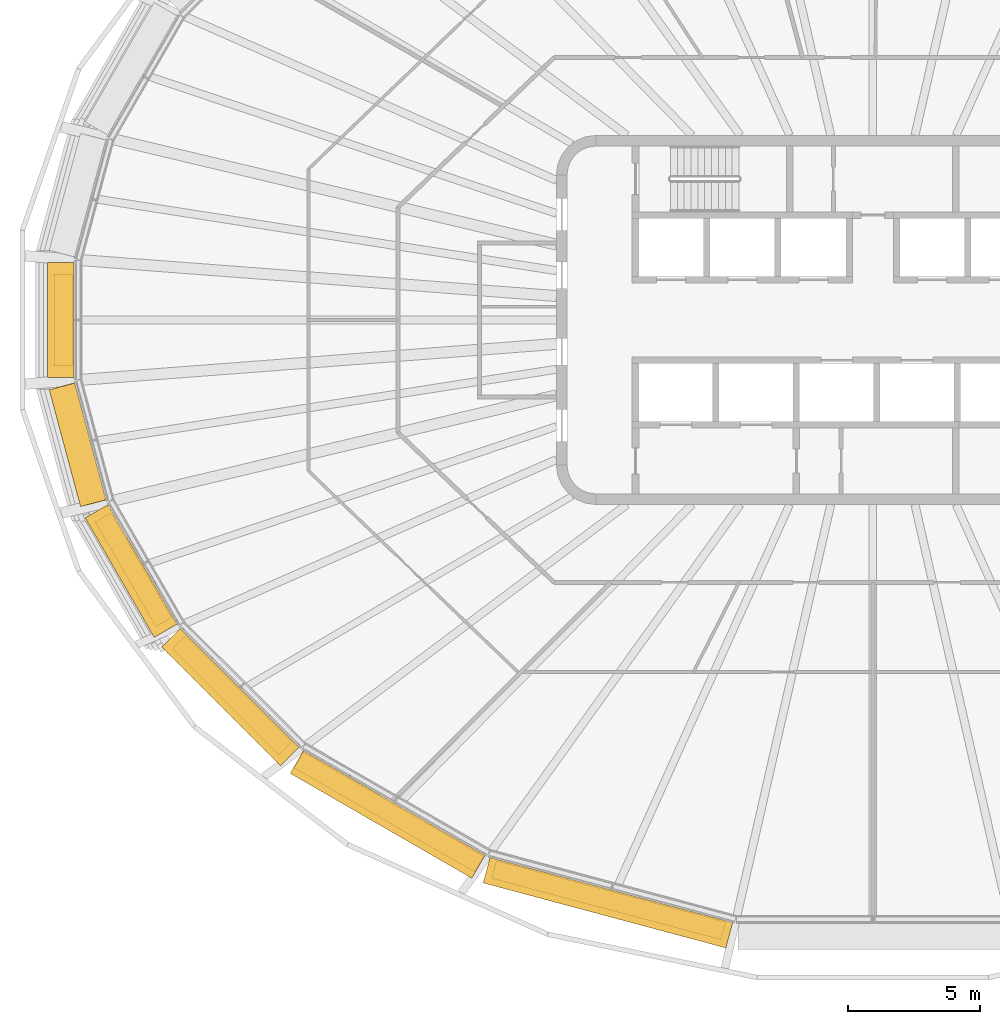
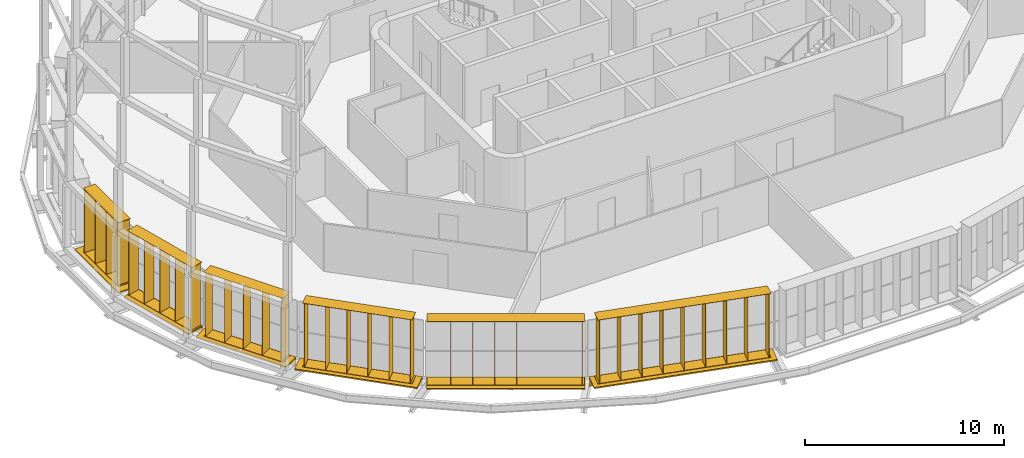
# One storey, part 15 of 21: 12 shading devices.
"""IFC4 building model written with IfcOpenShell, lengths in metres."""

from ifc_helpers import new_model, si_unit, direction, frame, origin, origin_2d, place, context, subcontext, project, spatial, rectangle, extrude, material, type_object, element, save


model = new_model("IFC4")

# Units and contexts
model_context = context("Model", 3, precision=1e-05, world=origin(), true_north=direction((0.0, 1.0)))
body_context = subcontext(model_context, "Body", "Model", "MODEL_VIEW")
ifc_project = project(units=[si_unit("LENGTHUNIT", "METRE"), si_unit("AREAUNIT", "SQUARE_METRE"), si_unit("VOLUMEUNIT", "CUBIC_METRE"), si_unit("PLANEANGLEUNIT", "RADIAN"), si_unit("MASSUNIT", "GRAM", prefix="KILO")], contexts=[model_context])

# Site, building, storey
site_placement = place(None, origin())
site = spatial("IfcSite", under=ifc_project, at=site_placement, CompositionType="ELEMENT")
building_placement = place(site_placement, origin())
building = spatial("IfcBuilding", under=site, at=building_placement, Name="Sahrelin Media Tower", CompositionType="ELEMENT")
storey_placement = place(building_placement, frame((0.0, 0.0, 259.0)))
storey = spatial("IfcBuildingStorey", under=building, at=storey_placement, Name="L56", CompositionType="ELEMENT", Elevation=259.0)

# Shading devices
ifc_material = material(Name="Champagne anodised aluminium 6063-T6", Category="aluminium")
shading_device_type_1 = type_object("IfcShadingDeviceType", Name="Fin cassette", PredefinedType="USERDEFINED", material=ifc_material)
placement_1 = place(storey_placement, frame((-30.275390625, 0.0, 0.0), z_axis=(0.0, 0.0, 1.0), x_axis=(0.0, 1.0, 0.0)))
element("IfcShadingDevice", 1, at=placement_1, inside=storey, type_object=shading_device_type_1, Name="L56:FIN:L56-12", ObjectType="FIN", PredefinedType="USERDEFINED", context=body_context, shape_type="SweptSolid", body=[
    extrude(rectangle(XDim=3.5, YDim=0.699951171875, at=origin_2d()), frame((0.0, 0.419921875, 0.0)), (0.0, 0.0, 1.0), 0.02001953125),
    extrude(rectangle(XDim=3.5, YDim=0.699951171875, at=origin_2d()), frame((0.0, 0.419921875, 3.89990234375)), (0.0, 0.0, 1.0), 0.02001953125),
    extrude(rectangle(XDim=0.02001953125, YDim=0.699951171875, at=origin_2d()), frame((-1.64990234375, 0.419921875, 0.010009765625), z_axis=(0.0, 0.0, 1.0), x_axis=(1.0, 0.0, 0.0)), (0.0, 0.0, 1.0), 3.89990234375),
    extrude(rectangle(XDim=0.02001953125, YDim=0.699951171875, at=origin_2d()), frame((-0.550048828125, 0.419921875, 0.010009765625), z_axis=(0.0, 0.0, 1.0), x_axis=(1.0, 0.0, 0.0)), (0.0, 0.0, 1.0), 3.89990234375),
    extrude(rectangle(XDim=0.02001953125, YDim=0.699951171875, at=origin_2d()), frame((0.550048828125, 0.419921875, 0.010009765625), z_axis=(0.0, 0.0, 1.0), x_axis=(1.0, 0.0, 0.0)), (0.0, 0.0, 1.0), 3.89990234375),
    extrude(rectangle(XDim=0.02001953125, YDim=0.699951171875, at=origin_2d()), frame((1.64990234375, 0.419921875, 0.010009765625), z_axis=(0.0, 0.0, 1.0), x_axis=(1.0, 0.0, 0.0)), (0.0, 0.0, 1.0), 3.89990234375),
])
placement_2 = place(storey_placement, frame((-29.656494140625, -4.599365234375, 0.0), z_axis=(0.0, 0.0, 1.0), x_axis=(-0.258807731996, 0.965928857556, 0.0)))
element("IfcShadingDevice", 2, at=placement_2, inside=storey, type_object=shading_device_type_1, Name="L56:FIN:L56-13", ObjectType="FIN", PredefinedType="USERDEFINED", context=body_context, shape_type="SweptSolid", body=[
    extrude(rectangle(XDim=4.60009765625, YDim=0.699951171875, at=origin_2d()), frame((0.0, 0.419921875, 0.0)), (0.0, 0.0, 1.0), 0.02001953125),
    extrude(rectangle(XDim=4.60009765625, YDim=0.699951171875, at=origin_2d()), frame((0.0, 0.419921875, 3.89990234375)), (0.0, 0.0, 1.0), 0.02001953125),
    extrude(rectangle(XDim=0.02001953125, YDim=0.699951171875, at=origin_2d()), frame((-2.199951171875, 0.419921875, 0.010009765625), z_axis=(0.0, 0.0, 1.0), x_axis=(1.0, 0.0, 0.0)), (0.0, 0.0, 1.0), 3.89990234375),
    extrude(rectangle(XDim=0.02001953125, YDim=0.699951171875, at=origin_2d()), frame((-1.10009765625, 0.419921875, 0.010009765625), z_axis=(0.0, 0.0, 1.0), x_axis=(1.0, 0.0, 0.0)), (0.0, 0.0, 1.0), 3.89990234375),
    extrude(rectangle(XDim=0.02001953125, YDim=0.699951171875, at=origin_2d()), frame((0.0, 0.419921875, 0.010009765625), z_axis=(0.0, 0.0, 1.0), x_axis=(1.0, 0.0, 0.0)), (0.0, 0.0, 1.0), 3.89990234375),
    extrude(rectangle(XDim=0.02001953125, YDim=0.699951171875, at=origin_2d()), frame((1.10009765625, 0.419921875, 0.010009765625), z_axis=(0.0, 0.0, 1.0), x_axis=(1.0, 0.0, 0.0)), (0.0, 0.0, 1.0), 3.89990234375),
    extrude(rectangle(XDim=0.02001953125, YDim=0.699951171875, at=origin_2d()), frame((2.199951171875, 0.419921875, 0.010009765625), z_axis=(0.0, 0.0, 1.0), x_axis=(1.0, 0.0, 0.0)), (0.0, 0.0, 1.0), 3.89990234375),
])
placement_3 = place(storey_placement, frame((-27.679443359375, -9.261474609375, 0.0), z_axis=(0.0, 0.0, 1.0), x_axis=(-0.500011000363, 0.866019052629, 0.0)))
element("IfcShadingDevice", 3, at=placement_3, inside=storey, type_object=shading_device_type_1, Name="L56:FIN:L56-14", ObjectType="FIN", PredefinedType="USERDEFINED", context=body_context, shape_type="SweptSolid", body=[
    extrude(rectangle(XDim=4.60009765625, YDim=0.699951171875, at=origin_2d()), frame((0.0, 0.419921875, 0.0)), (0.0, 0.0, 1.0), 0.02001953125),
    extrude(rectangle(XDim=4.60009765625, YDim=0.699951171875, at=origin_2d()), frame((0.0, 0.419921875, 3.89990234375)), (0.0, 0.0, 1.0), 0.02001953125),
    extrude(rectangle(XDim=0.02001953125, YDim=0.699951171875, at=origin_2d()), frame((-2.199951171875, 0.419921875, 0.010009765625), z_axis=(0.0, 0.0, 1.0), x_axis=(1.0, 0.0, 0.0)), (0.0, 0.0, 1.0), 3.89990234375),
    extrude(rectangle(XDim=0.02001953125, YDim=0.699951171875, at=origin_2d()), frame((-1.10009765625, 0.419921875, 0.010009765625), z_axis=(0.0, 0.0, 1.0), x_axis=(1.0, 0.0, 0.0)), (0.0, 0.0, 1.0), 3.89990234375),
    extrude(rectangle(XDim=0.02001953125, YDim=0.699951171875, at=origin_2d()), frame((0.0, 0.419921875, 0.010009765625), z_axis=(0.0, 0.0, 1.0), x_axis=(1.0, 0.0, 0.0)), (0.0, 0.0, 1.0), 3.89990234375),
    extrude(rectangle(XDim=0.02001953125, YDim=0.699951171875, at=origin_2d()), frame((1.10009765625, 0.419921875, 0.010009765625), z_axis=(0.0, 0.0, 1.0), x_axis=(1.0, 0.0, 0.0)), (0.0, 0.0, 1.0), 3.89990234375),
    extrude(rectangle(XDim=0.02001953125, YDim=0.699951171875, at=origin_2d()), frame((2.199951171875, 0.419921875, 0.010009765625), z_axis=(0.0, 0.0, 1.0), x_axis=(1.0, 0.0, 0.0)), (0.0, 0.0, 1.0), 3.89990234375),
])
placement_4 = place(storey_placement, frame((-23.997314453125, -13.9375, 0.0), z_axis=(0.0, 0.0, 1.0), x_axis=(-0.707106781187, 0.707106781187, 0.0)))
element("IfcShadingDevice", 4, at=placement_4, inside=storey, type_object=shading_device_type_1, Name="L56:FIN:L56-15", ObjectType="FIN", PredefinedType="USERDEFINED", context=body_context, shape_type="SweptSolid", body=[
    extrude(rectangle(XDim=5.699951171875, YDim=0.699951171875, at=origin_2d()), frame((0.0, 0.419921875, 0.0)), (0.0, 0.0, 1.0), 0.02001953125),
    extrude(rectangle(XDim=5.699951171875, YDim=0.699951171875, at=origin_2d()), frame((0.0, 0.419921875, 3.89990234375)), (0.0, 0.0, 1.0), 0.02001953125),
    extrude(rectangle(XDim=0.02001953125, YDim=0.699951171875, at=origin_2d()), frame((-2.75, 0.419921875, 0.010009765625), z_axis=(0.0, 0.0, 1.0), x_axis=(1.0, 0.0, 0.0)), (0.0, 0.0, 1.0), 3.89990234375),
    extrude(rectangle(XDim=0.02001953125, YDim=0.699951171875, at=origin_2d()), frame((-1.64990234375, 0.419921875, 0.010009765625), z_axis=(0.0, 0.0, 1.0), x_axis=(1.0, 0.0, 0.0)), (0.0, 0.0, 1.0), 3.89990234375),
    extrude(rectangle(XDim=0.02001953125, YDim=0.699951171875, at=origin_2d()), frame((-0.550048828125, 0.419921875, 0.010009765625), z_axis=(0.0, 0.0, 1.0), x_axis=(1.0, 0.0, 0.0)), (0.0, 0.0, 1.0), 3.89990234375),
    extrude(rectangle(XDim=0.02001953125, YDim=0.699951171875, at=origin_2d()), frame((0.550048828125, 0.419921875, 0.010009765625), z_axis=(0.0, 0.0, 1.0), x_axis=(1.0, 0.0, 0.0)), (0.0, 0.0, 1.0), 3.89990234375),
    extrude(rectangle(XDim=0.02001953125, YDim=0.699951171875, at=origin_2d()), frame((1.64990234375, 0.419921875, 0.010009765625), z_axis=(0.0, 0.0, 1.0), x_axis=(1.0, 0.0, 0.0)), (0.0, 0.0, 1.0), 3.89990234375),
    extrude(rectangle(XDim=0.02001953125, YDim=0.699951171875, at=origin_2d()), frame((2.75, 0.419921875, 0.010009765625), z_axis=(0.0, 0.0, 1.0), x_axis=(1.0, 0.0, 0.0)), (0.0, 0.0, 1.0), 3.89990234375),
])
placement_5 = place(storey_placement, frame((-18.14208984375, -18.300537109375, 0.0), z_axis=(0.0, 0.0, 1.0), x_axis=(-0.866019052629, 0.500011000363, 0.0)))
element("IfcShadingDevice", 5, at=placement_5, inside=storey, type_object=shading_device_type_1, Name="L56:FIN:L56-16", ObjectType="FIN", PredefinedType="USERDEFINED", context=body_context, shape_type="SweptSolid", body=[
    extrude(rectangle(XDim=7.89990234375, YDim=0.699951171875, at=origin_2d()), frame((0.0, 0.419921875, 0.0)), (0.0, 0.0, 1.0), 0.02001953125),
    extrude(rectangle(XDim=7.89990234375, YDim=0.699951171875, at=origin_2d()), frame((0.0, 0.419921875, 3.89990234375)), (0.0, 0.0, 1.0), 0.02001953125),
    extrude(rectangle(XDim=0.02001953125, YDim=0.699951171875, at=origin_2d()), frame((-3.85009765625, 0.419921875, 0.010009765625), z_axis=(0.0, 0.0, 1.0), x_axis=(1.0, 0.0, 0.0)), (0.0, 0.0, 1.0), 3.89990234375),
    extrude(rectangle(XDim=0.02001953125, YDim=0.699951171875, at=origin_2d()), frame((-2.75, 0.419921875, 0.010009765625), z_axis=(0.0, 0.0, 1.0), x_axis=(1.0, 0.0, 0.0)), (0.0, 0.0, 1.0), 3.89990234375),
    extrude(rectangle(XDim=0.02001953125, YDim=0.699951171875, at=origin_2d()), frame((-1.64990234375, 0.419921875, 0.010009765625), z_axis=(0.0, 0.0, 1.0), x_axis=(1.0, 0.0, 0.0)), (0.0, 0.0, 1.0), 3.89990234375),
    extrude(rectangle(XDim=0.02001953125, YDim=0.699951171875, at=origin_2d()), frame((-0.550048828125, 0.419921875, 0.010009765625), z_axis=(0.0, 0.0, 1.0), x_axis=(1.0, 0.0, 0.0)), (0.0, 0.0, 1.0), 3.89990234375),
    extrude(rectangle(XDim=0.02001953125, YDim=0.699951171875, at=origin_2d()), frame((0.550048828125, 0.419921875, 0.010009765625), z_axis=(0.0, 0.0, 1.0), x_axis=(1.0, 0.0, 0.0)), (0.0, 0.0, 1.0), 3.89990234375),
    extrude(rectangle(XDim=0.02001953125, YDim=0.699951171875, at=origin_2d()), frame((1.64990234375, 0.419921875, 0.010009765625), z_axis=(0.0, 0.0, 1.0), x_axis=(1.0, 0.0, 0.0)), (0.0, 0.0, 1.0), 3.89990234375),
    extrude(rectangle(XDim=0.02001953125, YDim=0.699951171875, at=origin_2d()), frame((2.75, 0.419921875, 0.010009765625), z_axis=(0.0, 0.0, 1.0), x_axis=(1.0, 0.0, 0.0)), (0.0, 0.0, 1.0), 3.89990234375),
    extrude(rectangle(XDim=0.02001953125, YDim=0.699951171875, at=origin_2d()), frame((3.85009765625, 0.419921875, 0.010009765625), z_axis=(0.0, 0.0, 1.0), x_axis=(1.0, 0.0, 0.0)), (0.0, 0.0, 1.0), 3.89990234375),
])
placement_6 = place(storey_placement, frame((-9.912109375, -21.598388671875, 0.0), z_axis=(0.0, 0.0, 1.0), x_axis=(-0.965928857556, 0.258807731996, 0.0)))
element("IfcShadingDevice", 6, at=placement_6, inside=storey, type_object=shading_device_type_1, Name="L56:FIN:L56-17", ObjectType="FIN", PredefinedType="USERDEFINED", context=body_context, shape_type="SweptSolid", body=[
    extrude(rectangle(XDim=9.0, YDim=0.699951171875, at=origin_2d()), frame((0.0, 0.419921875, 0.0)), (0.0, 0.0, 1.0), 0.02001953125),
    extrude(rectangle(XDim=9.0, YDim=0.699951171875, at=origin_2d()), frame((0.0, 0.419921875, 3.89990234375)), (0.0, 0.0, 1.0), 0.02001953125),
    extrude(rectangle(XDim=0.02001953125, YDim=0.699951171875, at=origin_2d()), frame((-4.39990234375, 0.419921875, 0.010009765625), z_axis=(0.0, 0.0, 1.0), x_axis=(1.0, 0.0, 0.0)), (0.0, 0.0, 1.0), 3.89990234375),
    extrude(rectangle(XDim=0.02001953125, YDim=0.699951171875, at=origin_2d()), frame((-3.300048828125, 0.419921875, 0.010009765625), z_axis=(0.0, 0.0, 1.0), x_axis=(1.0, 0.0, 0.0)), (0.0, 0.0, 1.0), 3.89990234375),
    extrude(rectangle(XDim=0.02001953125, YDim=0.699951171875, at=origin_2d()), frame((-2.199951171875, 0.419921875, 0.010009765625), z_axis=(0.0, 0.0, 1.0), x_axis=(1.0, 0.0, 0.0)), (0.0, 0.0, 1.0), 3.89990234375),
    extrude(rectangle(XDim=0.02001953125, YDim=0.699951171875, at=origin_2d()), frame((-1.10009765625, 0.419921875, 0.010009765625), z_axis=(0.0, 0.0, 1.0), x_axis=(1.0, 0.0, 0.0)), (0.0, 0.0, 1.0), 3.89990234375),
    extrude(rectangle(XDim=0.02001953125, YDim=0.699951171875, at=origin_2d()), frame((0.0, 0.419921875, 0.010009765625), z_axis=(0.0, 0.0, 1.0), x_axis=(1.0, 0.0, 0.0)), (0.0, 0.0, 1.0), 3.89990234375),
    extrude(rectangle(XDim=0.02001953125, YDim=0.699951171875, at=origin_2d()), frame((1.10009765625, 0.419921875, 0.010009765625), z_axis=(0.0, 0.0, 1.0), x_axis=(1.0, 0.0, 0.0)), (0.0, 0.0, 1.0), 3.89990234375),
    extrude(rectangle(XDim=0.02001953125, YDim=0.699951171875, at=origin_2d()), frame((2.199951171875, 0.419921875, 0.010009765625), z_axis=(0.0, 0.0, 1.0), x_axis=(1.0, 0.0, 0.0)), (0.0, 0.0, 1.0), 3.89990234375),
    extrude(rectangle(XDim=0.02001953125, YDim=0.699951171875, at=origin_2d()), frame((3.300048828125, 0.419921875, 0.010009765625), z_axis=(0.0, 0.0, 1.0), x_axis=(1.0, 0.0, 0.0)), (0.0, 0.0, 1.0), 3.89990234375),
    extrude(rectangle(XDim=0.02001953125, YDim=0.699951171875, at=origin_2d()), frame((4.39990234375, 0.419921875, 0.010009765625), z_axis=(0.0, 0.0, 1.0), x_axis=(1.0, 0.0, 0.0)), (0.0, 0.0, 1.0), 3.89990234375),
])
shading_device_type_2 = type_object("IfcShadingDeviceType", Name="Sunshade band", PredefinedType="USERDEFINED", material=ifc_material)
element("IfcShadingDevice", 7, at=placement_1, inside=storey, type_object=shading_device_type_2, Name="L56:SUN:L56-12", ObjectType="SUNSHADE", PredefinedType="USERDEFINED", context=body_context, shape_type="SweptSolid", body=[
    extrude(rectangle(XDim=4.377685546875, YDim=0.050048828125, at=origin_2d()), frame((0.0, 0.044921875, -0.55126953125)), (0.0, 0.0, 1.0), 0.471435546875),
    extrude(rectangle(XDim=4.377685546875, YDim=1.0, at=origin_2d()), frame((0.0, 0.52001953125, -0.080078125)), (0.0, 0.0, 1.0), 0.080078125),
    extrude(rectangle(XDim=0.10009765625, YDim=0.074951171875, at=origin_2d()), frame((-2.0888671875, -0.017578125, -0.47021484375)), (0.0, 0.0, 1.0), 0.300048828125),
    extrude(rectangle(XDim=0.10009765625, YDim=0.074951171875, at=origin_2d()), frame((-0.6962890625, -0.017578125, -0.47021484375)), (0.0, 0.0, 1.0), 0.300048828125),
    extrude(rectangle(XDim=0.10009765625, YDim=0.074951171875, at=origin_2d()), frame((0.6962890625, -0.017578125, -0.47021484375)), (0.0, 0.0, 1.0), 0.300048828125),
    extrude(rectangle(XDim=0.10009765625, YDim=0.074951171875, at=origin_2d()), frame((2.0888671875, -0.017578125, -0.47021484375)), (0.0, 0.0, 1.0), 0.300048828125),
])
element("IfcShadingDevice", 8, at=placement_2, inside=storey, type_object=shading_device_type_2, Name="L56:SUN:L56-13", ObjectType="SUNSHADE", PredefinedType="USERDEFINED", context=body_context, shape_type="SweptSolid", body=[
    extrude(rectangle(XDim=4.583984375, YDim=0.050048828125, at=origin_2d()), frame((0.0, 0.044921875, -0.55126953125)), (0.0, 0.0, 1.0), 0.471435546875),
    extrude(rectangle(XDim=4.583984375, YDim=1.0, at=origin_2d()), frame((0.0, 0.52001953125, -0.080078125)), (0.0, 0.0, 1.0), 0.080078125),
    extrude(rectangle(XDim=0.10009765625, YDim=0.074951171875, at=origin_2d()), frame((-2.19189453125, -0.017578125, -0.47021484375)), (0.0, 0.0, 1.0), 0.300048828125),
    extrude(rectangle(XDim=0.10009765625, YDim=0.074951171875, at=origin_2d()), frame((-0.730712890625, -0.017578125, -0.47021484375)), (0.0, 0.0, 1.0), 0.300048828125),
    extrude(rectangle(XDim=0.10009765625, YDim=0.074951171875, at=origin_2d()), frame((0.730712890625, -0.017578125, -0.47021484375)), (0.0, 0.0, 1.0), 0.300048828125),
    extrude(rectangle(XDim=0.10009765625, YDim=0.074951171875, at=origin_2d()), frame((2.19189453125, -0.017578125, -0.47021484375)), (0.0, 0.0, 1.0), 0.300048828125),
])
element("IfcShadingDevice", 9, at=placement_3, inside=storey, type_object=shading_device_type_2, Name="L56:SUN:L56-14", ObjectType="SUNSHADE", PredefinedType="USERDEFINED", context=body_context, shape_type="SweptSolid", body=[
    extrude(rectangle(XDim=5.231201171875, YDim=0.050048828125, at=origin_2d()), frame((0.0, 0.044921875, -0.55126953125)), (0.0, 0.0, 1.0), 0.471435546875),
    extrude(rectangle(XDim=5.231201171875, YDim=1.0, at=origin_2d()), frame((0.0, 0.52001953125, -0.080078125)), (0.0, 0.0, 1.0), 0.080078125),
    extrude(rectangle(XDim=0.10009765625, YDim=0.074951171875, at=origin_2d()), frame((-2.515625, -0.017578125, -0.47021484375)), (0.0, 0.0, 1.0), 0.300048828125),
    extrude(rectangle(XDim=0.10009765625, YDim=0.074951171875, at=origin_2d()), frame((-0.83837890625, -0.017578125, -0.47021484375)), (0.0, 0.0, 1.0), 0.300048828125),
    extrude(rectangle(XDim=0.10009765625, YDim=0.074951171875, at=origin_2d()), frame((0.83837890625, -0.017578125, -0.47021484375)), (0.0, 0.0, 1.0), 0.300048828125),
    extrude(rectangle(XDim=0.10009765625, YDim=0.074951171875, at=origin_2d()), frame((2.515625, -0.017578125, -0.47021484375)), (0.0, 0.0, 1.0), 0.300048828125),
])
element("IfcShadingDevice", 10, at=placement_4, inside=storey, type_object=shading_device_type_2, Name="L56:SUN:L56-15", ObjectType="SUNSHADE", PredefinedType="USERDEFINED", context=body_context, shape_type="SweptSolid", body=[
    extrude(rectangle(XDim=6.3740234375, YDim=0.050048828125, at=origin_2d()), frame((0.0, 0.044921875, -0.55126953125)), (0.0, 0.0, 1.0), 0.471435546875),
    extrude(rectangle(XDim=6.3740234375, YDim=1.0, at=origin_2d()), frame((0.0, 0.52001953125, -0.080078125)), (0.0, 0.0, 1.0), 0.080078125),
    extrude(rectangle(XDim=0.10009765625, YDim=0.074951171875, at=origin_2d()), frame((-3.087158203125, -0.017578125, -0.47021484375)), (0.0, 0.0, 1.0), 0.300048828125),
    extrude(rectangle(XDim=0.10009765625, YDim=0.074951171875, at=origin_2d()), frame((-1.54345703125, -0.017578125, -0.47021484375)), (0.0, 0.0, 1.0), 0.300048828125),
    extrude(rectangle(XDim=0.10009765625, YDim=0.074951171875, at=origin_2d()), frame((0.0, -0.017578125, -0.47021484375)), (0.0, 0.0, 1.0), 0.300048828125),
    extrude(rectangle(XDim=0.10009765625, YDim=0.074951171875, at=origin_2d()), frame((1.54345703125, -0.017578125, -0.47021484375)), (0.0, 0.0, 1.0), 0.300048828125),
    extrude(rectangle(XDim=0.10009765625, YDim=0.074951171875, at=origin_2d()), frame((3.087158203125, -0.017578125, -0.47021484375)), (0.0, 0.0, 1.0), 0.300048828125),
])
element("IfcShadingDevice", 11, at=placement_5, inside=storey, type_object=shading_device_type_2, Name="L56:SUN:L56-16", ObjectType="SUNSHADE", PredefinedType="USERDEFINED", context=body_context, shape_type="SweptSolid", body=[
    extrude(rectangle(XDim=7.95458984375, YDim=0.050048828125, at=origin_2d()), frame((0.0, 0.044921875, -0.55126953125)), (0.0, 0.0, 1.0), 0.471435546875),
    extrude(rectangle(XDim=7.95458984375, YDim=1.0, at=origin_2d()), frame((0.0, 0.52001953125, -0.080078125)), (0.0, 0.0, 1.0), 0.080078125),
    extrude(rectangle(XDim=0.10009765625, YDim=0.074951171875, at=origin_2d()), frame((-3.877197265625, -0.017578125, -0.47021484375)), (0.0, 0.0, 1.0), 0.300048828125),
    extrude(rectangle(XDim=0.10009765625, YDim=0.074951171875, at=origin_2d()), frame((-1.938720703125, -0.017578125, -0.47021484375)), (0.0, 0.0, 1.0), 0.300048828125),
    extrude(rectangle(XDim=0.10009765625, YDim=0.074951171875, at=origin_2d()), frame((0.0, -0.017578125, -0.47021484375)), (0.0, 0.0, 1.0), 0.300048828125),
    extrude(rectangle(XDim=0.10009765625, YDim=0.074951171875, at=origin_2d()), frame((1.938720703125, -0.017578125, -0.47021484375)), (0.0, 0.0, 1.0), 0.300048828125),
    extrude(rectangle(XDim=0.10009765625, YDim=0.074951171875, at=origin_2d()), frame((3.877197265625, -0.017578125, -0.47021484375)), (0.0, 0.0, 1.0), 0.300048828125),
])
element("IfcShadingDevice", 12, at=placement_6, inside=storey, type_object=shading_device_type_2, Name="L56:SUN:L56-17", ObjectType="SUNSHADE", PredefinedType="USERDEFINED", context=body_context, shape_type="SweptSolid", body=[
    extrude(rectangle(XDim=9.529296875, YDim=0.050048828125, at=origin_2d()), frame((0.0, 0.044921875, -0.55126953125)), (0.0, 0.0, 1.0), 0.471435546875),
    extrude(rectangle(XDim=9.529296875, YDim=1.0, at=origin_2d()), frame((0.0, 0.52001953125, -0.080078125)), (0.0, 0.0, 1.0), 0.080078125),
    extrude(rectangle(XDim=0.10009765625, YDim=0.074951171875, at=origin_2d()), frame((-4.664794921875, -0.017578125, -0.47021484375)), (0.0, 0.0, 1.0), 0.300048828125),
    extrude(rectangle(XDim=0.10009765625, YDim=0.074951171875, at=origin_2d()), frame((-2.798828125, -0.017578125, -0.47021484375)), (0.0, 0.0, 1.0), 0.300048828125),
    extrude(rectangle(XDim=0.10009765625, YDim=0.074951171875, at=origin_2d()), frame((-0.932861328125, -0.017578125, -0.47021484375)), (0.0, 0.0, 1.0), 0.300048828125),
    extrude(rectangle(XDim=0.10009765625, YDim=0.074951171875, at=origin_2d()), frame((0.932861328125, -0.017578125, -0.47021484375)), (0.0, 0.0, 1.0), 0.300048828125),
    extrude(rectangle(XDim=0.10009765625, YDim=0.074951171875, at=origin_2d()), frame((2.798828125, -0.017578125, -0.47021484375)), (0.0, 0.0, 1.0), 0.300048828125),
    extrude(rectangle(XDim=0.10009765625, YDim=0.074951171875, at=origin_2d()), frame((4.664794921875, -0.017578125, -0.47021484375)), (0.0, 0.0, 1.0), 0.300048828125),
])

save(model, "model.ifc")
